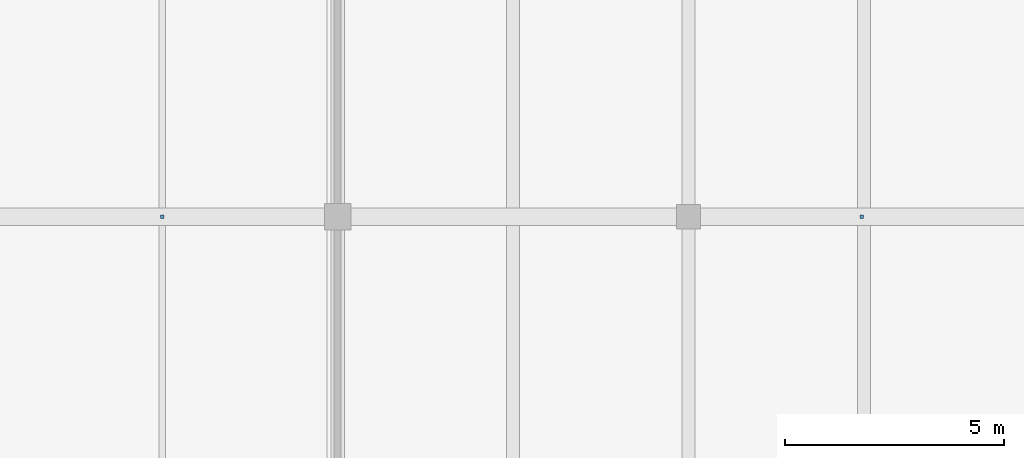
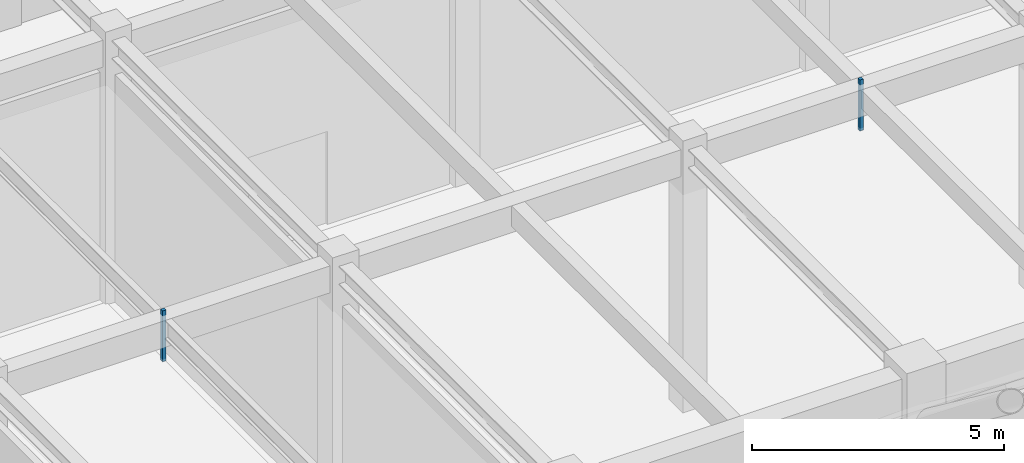
# One storey, part 146 of 163: 2 discrete accessories.
"""IFC4 building model written with IfcOpenShell, lengths in metres."""

from ifc_helpers import new_model, si_unit, direction, frame, origin, origin_2d, place, context, subcontext, project, spatial, rectangle, extrude, material, layer, layer_set, type_object, element, save


model = new_model("IFC4")

# Units and contexts
model_context = context("Model", 3, precision=1e-05, world=origin(), true_north=direction((0.0, 1.0)))
body_context = subcontext(model_context, "Body", "Model", "MODEL_VIEW")
ifc_project = project(units=[si_unit("LENGTHUNIT", "METRE"), si_unit("AREAUNIT", "SQUARE_METRE"), si_unit("VOLUMEUNIT", "CUBIC_METRE"), si_unit("PLANEANGLEUNIT", "RADIAN"), si_unit("MASSUNIT", "GRAM", prefix="KILO")], contexts=[model_context])

# Site, building, storey
site_placement = place(None, origin())
site = spatial("IfcSite", under=ifc_project, at=site_placement, CompositionType="ELEMENT")
building_placement = place(site_placement, origin())
building = spatial("IfcBuilding", under=site, at=building_placement, Name="Varnabhumi Central Station", CompositionType="ELEMENT")
storey_placement = place(building_placement, frame((0.0, 0.0, 9.60009765625)))
storey = spatial("IfcBuildingStorey", under=building, at=storey_placement, Name="L02", CompositionType="ELEMENT", Elevation=9.60009765625)

# Discrete accessories
ifc_material = material(Name="Structural steel E350", Category="steel")
ifc_layer = layer(ifc_material, 0.159912109375, Name="Structural steel E350", Category="steel")
ifc_layer_set = layer_set([ifc_layer], Name="Structural steel E350")
discrete_accessory_type = type_object("IfcDiscreteAccessoryType", Name="ACC-SHADE-BRKT", PredefinedType="BRACKET", material=ifc_layer_set)
for number, where, z_axis, x_axis, name in (
    (1, (92.0, 89.0, 5.239990234375), (0.0, 0.0, 1.0), (1.0, 0.0, 0.0), "Rail Tourism Information Suite Ceiling Hanger"),
    (2, (107.949951171875, 89.0, 5.239990234375), (0.0, 0.0, 1.0), (1.0, 0.0, 0.0), "Departure Food Court and Tea Pavilion Ceiling Hanger"),
):
    element("IfcDiscreteAccessory", number, at=place(storey_placement, frame(where, z_axis=z_axis, x_axis=x_axis)), inside=storey, type_object=discrete_accessory_type, Name=name, PredefinedType="BRACKET", context=body_context, shape_type="SweptSolid", body=[
        extrude(rectangle(XDim=0.080078125, YDim=0.080078125, at=origin_2d()), origin(), (0.0, 0.0, 1.0), 1.22998046875),
    ])

save(model, "model.ifc")
